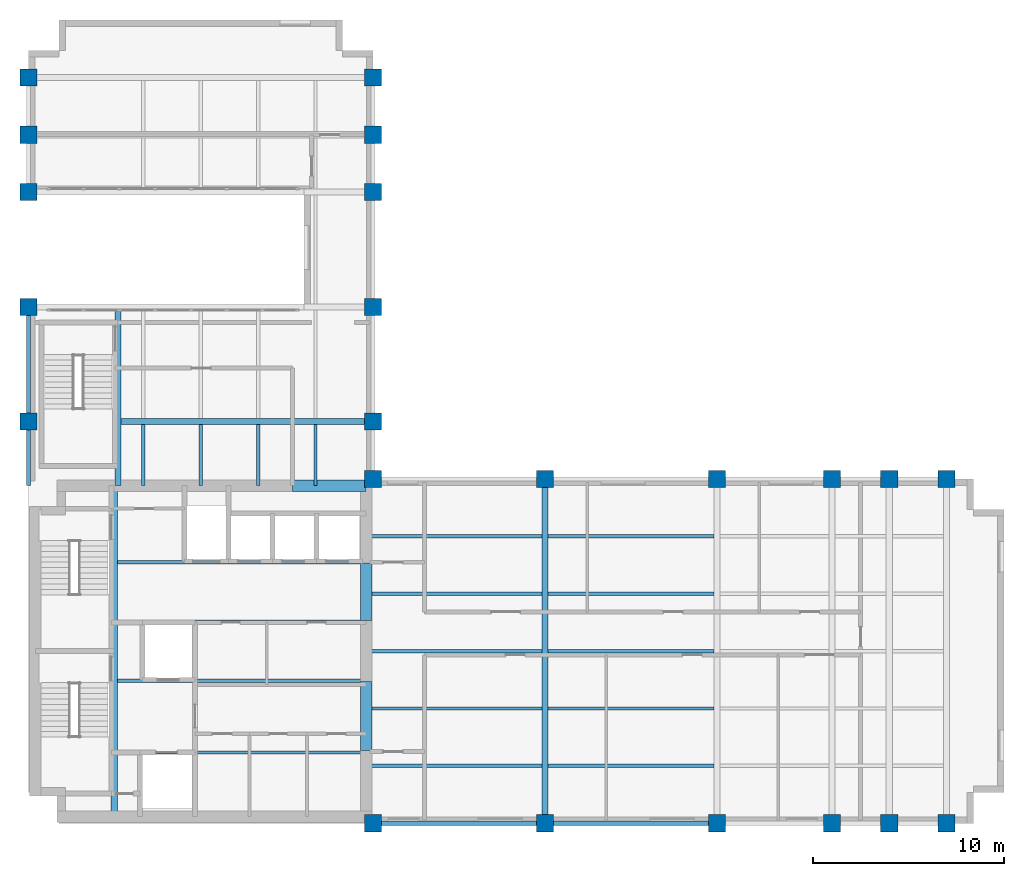
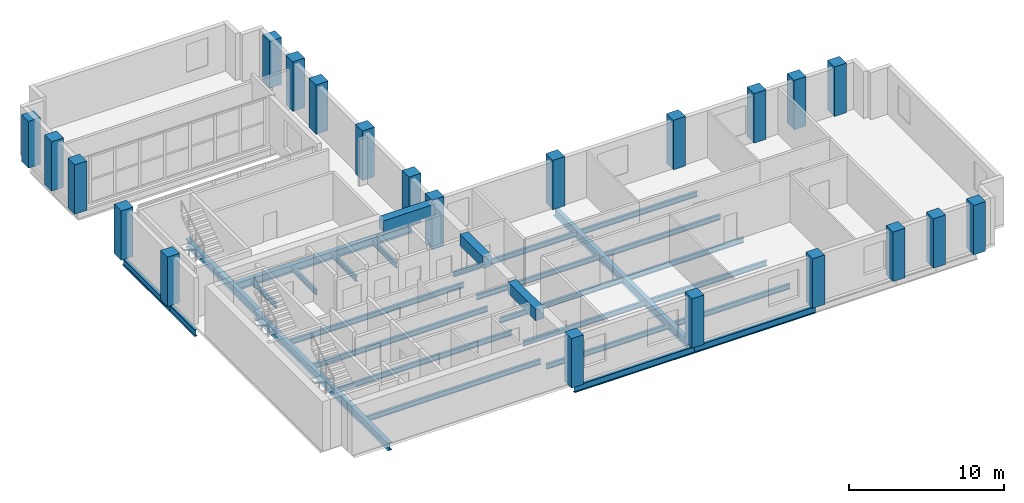
# One storey, part 1 of 9: 29 beams, 22 columns.
"""IFC4 building model written with IfcOpenShell, lengths in metres."""

from ifc_helpers import new_model, si_unit, direction, frame, origin, origin_2d, place, context, subcontext, project, spatial, rectangle, i_section, extrude, material, material_profile, profile_set, type_object, element, save


model = new_model("IFC4")

# Units and contexts
model_context = context("Model", 3, precision=1e-05, world=origin(), true_north=direction((0.0, 1.0)))
body_context = subcontext(model_context, "Body", "Model", "MODEL_VIEW")
ifc_project = project(units=[si_unit("LENGTHUNIT", "METRE"), si_unit("AREAUNIT", "SQUARE_METRE"), si_unit("VOLUMEUNIT", "CUBIC_METRE"), si_unit("PLANEANGLEUNIT", "RADIAN"), si_unit("MASSUNIT", "GRAM", prefix="KILO")], contexts=[model_context])

# Site, building, storey
site_placement = place(None, origin())
site = spatial("IfcSite", under=ifc_project, at=site_placement, CompositionType="ELEMENT")
building_placement = place(site_placement, origin())
building = spatial("IfcBuilding", under=site, at=building_placement, Name="Mawjdan Bourse Tower", CompositionType="ELEMENT")
storey_placement = place(building_placement, frame((0.0, 0.0, 195.60009765625)))
storey = spatial("IfcBuildingStorey", under=building, at=storey_placement, Name="L47", CompositionType="ELEMENT", Elevation=195.60009765625)

# Columns
ifc_material_1 = material(Name="Concrete C70/85", Category="concrete")
ifc_material_profile_1 = material_profile(ifc_material_1, rectangle(XDim=0.89990234375, YDim=0.89990234375, at=origin_2d()), Name="RC900X900")
ifc_profile_set_1 = profile_set([ifc_material_profile_1], Name="Concrete C70/85")
column_type = type_object("IfcColumnType", Name="COL-RC900X900", PredefinedType="COLUMN", material=ifc_profile_set_1)
for number, where, z_axis, x_axis, name in (
    (1, (24.0, 3.0, 0.0), (0.0, 0.0, 1.0), (1.0, 0.0, 0.0), "L47 Structural Column C-X240-Y30"),
    (2, (24.0, 21.0, 0.0), (0.0, 0.0, 1.0), (1.0, 0.0, 0.0), "L47 Structural Column C-X240-Y210"),
    (3, (33.0, 3.0, 0.0), (0.0, 0.0, 1.0), (1.0, 0.0, 0.0), "L47 Structural Column C-X330-Y30"),
    (4, (33.0, 21.0, 0.0), (0.0, 0.0, 1.0), (1.0, 0.0, 0.0), "L47 Structural Column C-X330-Y210"),
    (5, (42.0, 3.0, 0.0), (0.0, 0.0, 1.0), (1.0, 0.0, 0.0), "L47 Structural Column C-X420-Y30"),
    (6, (42.0, 21.0, 0.0), (0.0, 0.0, 1.0), (1.0, 0.0, 0.0), "L47 Structural Column C-X420-Y210"),
    (7, (48.0, 3.0, 0.0), (0.0, 0.0, 1.0), (1.0, 0.0, 0.0), "L47 Structural Column C-X480-Y30"),
    (8, (48.0, 21.0, 0.0), (0.0, 0.0, 1.0), (1.0, 0.0, 0.0), "L47 Structural Column C-X480-Y210"),
    (9, (51.0, 3.0, 0.0), (0.0, 0.0, 1.0), (1.0, 0.0, 0.0), "L47 Structural Column C-X510-Y30"),
    (10, (51.0, 21.0, 0.0), (0.0, 0.0, 1.0), (1.0, 0.0, 0.0), "L47 Structural Column C-X510-Y210"),
    (11, (54.0, 3.0, 0.0), (0.0, 0.0, 1.0), (1.0, 0.0, 0.0), "L47 Structural Column C-X540-Y30"),
    (12, (54.0, 21.0, 0.0), (0.0, 0.0, 1.0), (1.0, 0.0, 0.0), "L47 Structural Column C-X540-Y210"),
    (13, (6.0, 24.0, 0.0), (0.0, 0.0, 1.0), (1.0, 0.0, 0.0), "L47 Structural Column C-X60-Y240"),
    (14, (24.0, 24.0, 0.0), (0.0, 0.0, 1.0), (1.0, 0.0, 0.0), "L47 Structural Column C-X240-Y240"),
    (15, (6.0, 30.0, 0.0), (0.0, 0.0, 1.0), (1.0, 0.0, 0.0), "L47 Structural Column C-X60-Y300"),
    (16, (24.0, 30.0, 0.0), (0.0, 0.0, 1.0), (1.0, 0.0, 0.0), "L47 Structural Column C-X240-Y300"),
    (17, (6.0, 36.0, 0.0), (0.0, 0.0, 1.0), (1.0, 0.0, 0.0), "L47 Structural Column C-X60-Y360"),
    (18, (24.0, 36.0, 0.0), (0.0, 0.0, 1.0), (1.0, 0.0, 0.0), "L47 Structural Column C-X240-Y360"),
    (19, (6.0, 39.0, 0.0), (0.0, 0.0, 1.0), (1.0, 0.0, 0.0), "L47 Structural Column C-X60-Y390"),
    (20, (24.0, 39.0, 0.0), (0.0, 0.0, 1.0), (1.0, 0.0, 0.0), "L47 Structural Column C-X240-Y390"),
):
    element("IfcColumn", number, at=place(storey_placement, frame(where, z_axis=z_axis, x_axis=x_axis)), inside=storey, type_object=column_type, Name=name, PredefinedType="COLUMN", context=body_context, shape_type="SweptSolid", body=[
        extrude(rectangle(XDim=0.89990234375, YDim=0.89990234375, at=origin_2d()), origin(), (0.0, 0.0, 1.0), 3.89990234375),
    ])
for number, where, z_axis, x_axis, name in (
    (21, (6.0, 42.0, 0.0), (0.0, 0.0, 1.0), (1.0, 0.0, 0.0), "L47 Structural Column C-X60-Y420"),
    (22, (24.0, 42.0, 0.0), (0.0, 0.0, 1.0), (1.0, 0.0, 0.0), "L47 Structural Column C-X240-Y420"),
):
    element("IfcColumn", number, at=place(storey_placement, frame(where, z_axis=z_axis, x_axis=x_axis)), inside=storey, type_object=column_type, Name=name, PredefinedType="COLUMN", context=body_context, shape_type="SweptSolid", body=[
        extrude(rectangle(XDim=0.89990234375, YDim=0.89990234375, at=origin_2d()), origin(), (0.0, 0.0, 1.0), 3.68896484375),
    ])

# Beams
ifc_material_2 = material(Name="Structural Steel S355", Category="steel")
ifc_material_profile_2 = material_profile(ifc_material_2, i_section(OverallWidth=0.324951171875, OverallDepth=0.616943359375, WebThickness=0.013916015625, FlangeThickness=0.021484375, FilletRadius=0.017333984375, at=origin_2d()), Name="W24X117")
ifc_profile_set_2 = profile_set([ifc_material_profile_2], Name="Structural Steel S355")
beam_type_1 = type_object("IfcBeamType", Name="GRD-W24X117", PredefinedType="BEAM", material=ifc_profile_set_2)
beam_1_placement = place(storey_placement, frame((10.47998046875, 3.35009765625, -0.508544921875), z_axis=(0.0, 1.0, 0.0), x_axis=(-1.0, 0.0, 0.0)))
element("IfcBeam", 23, at=beam_1_placement, inside=storey, type_object=beam_type_1, Name="L47 Core Stair Trimmer Girder 001", PredefinedType="BEAM", context=body_context, shape_type="SweptSolid", body=[
    extrude(i_section(OverallWidth=0.324951171875, OverallDepth=0.616943359375, WebThickness=0.013916015625, FlangeThickness=0.021484375, FilletRadius=0.017333984375, at=origin_2d()), origin(), (0.0, 0.0, 1.0), 17.2998046875),
])
beam_2_placement = place(storey_placement, frame((33.0, 3.0, -0.508544921875), z_axis=(0.0, 1.0, 0.0), x_axis=(-1.0, 0.0, 0.0)))
element("IfcBeam", 24, at=beam_2_placement, inside=storey, type_object=beam_type_1, Name="L47 East Wing Clear-Span Girder 002", PredefinedType="BEAM", context=body_context, shape_type="SweptSolid", body=[
    extrude(i_section(OverallWidth=0.324951171875, OverallDepth=0.616943359375, WebThickness=0.013916015625, FlangeThickness=0.021484375, FilletRadius=0.017333984375, at=origin_2d()), origin(), (0.0, 0.0, 1.0), 18.0),
])
beam_3_placement = place(storey_placement, frame((10.679931640625, 20.64990234375, -0.508544921875), z_axis=(0.0, 1.0, 0.0), x_axis=(-1.0, 0.0, 0.0)))
element("IfcBeam", 25, at=beam_3_placement, inside=storey, type_object=beam_type_1, Name="L47 North Wing Stair Trimmer Girder 046", PredefinedType="BEAM", context=body_context, shape_type="SweptSolid", body=[
    extrude(i_section(OverallWidth=0.324951171875, OverallDepth=0.616943359375, WebThickness=0.013916015625, FlangeThickness=0.021484375, FilletRadius=0.017333984375, at=origin_2d()), origin(), (0.0, 0.0, 1.0), 9.189697265625),
])
beam_4_placement = place(storey_placement, frame((10.840576171875, 24.0, -0.508544921875), z_axis=(1.0, 0.0, 0.0), x_axis=(0.0, 1.0, 0.0)))
element("IfcBeam", 26, at=beam_4_placement, inside=storey, type_object=beam_type_1, Name="L47 North Wing Clear-Span Girder 047", PredefinedType="BEAM", context=body_context, shape_type="SweptSolid", body=[
    extrude(i_section(OverallWidth=0.324951171875, OverallDepth=0.616943359375, WebThickness=0.013916015625, FlangeThickness=0.021484375, FilletRadius=0.017333984375, at=origin_2d()), origin(), (0.0, 0.0, 1.0), 13.159423828125),
])
ifc_material_profile_3 = material_profile(ifc_material_2, i_section(OverallWidth=0.177978515625, OverallDepth=0.406982421875, WebThickness=0.0078125, FlangeThickness=0.0126953125, FilletRadius=0.01025390625, at=origin_2d()), Name="W16X40")
ifc_profile_set_3 = profile_set([ifc_material_profile_3], Name="Structural Steel S355")
beam_type_2 = type_object("IfcBeamType", Name="JST-W16X40", PredefinedType="JOIST", material=ifc_profile_set_3)
beam_5_placement = place(storey_placement, frame((23.64990234375, 6.0, -0.403564453125), z_axis=(1.0, 0.0, 0.0), x_axis=(0.0, 1.0, 0.0)))
element("IfcBeam", 27, at=beam_5_placement, inside=storey, type_object=beam_type_2, Name="L47 East Wing Composite Joist 017", PredefinedType="JOIST", context=body_context, shape_type="SweptSolid", body=[
    extrude(i_section(OverallWidth=0.177978515625, OverallDepth=0.406982421875, WebThickness=0.0078125, FlangeThickness=0.0126953125, FilletRadius=0.01025390625, at=origin_2d()), origin(), (0.0, 0.0, 1.0), 9.189697265625),
])
beam_6_placement = place(storey_placement, frame((33.160400390625, 6.0, -0.403564453125), z_axis=(1.0, 0.0, 0.0), x_axis=(0.0, 1.0, 0.0)))
element("IfcBeam", 28, at=beam_6_placement, inside=storey, type_object=beam_type_2, Name="L47 East Wing Composite Joist 018", PredefinedType="JOIST", context=body_context, shape_type="SweptSolid", body=[
    extrude(i_section(OverallWidth=0.177978515625, OverallDepth=0.406982421875, WebThickness=0.0078125, FlangeThickness=0.0126953125, FilletRadius=0.01025390625, at=origin_2d()), origin(), (0.0, 0.0, 1.0), 8.67919921875),
])
beam_7_placement = place(storey_placement, frame((23.64990234375, 9.0, -0.403564453125), z_axis=(1.0, 0.0, 0.0), x_axis=(0.0, 1.0, 0.0)))
element("IfcBeam", 29, at=beam_7_placement, inside=storey, type_object=beam_type_2, Name="L47 East Wing Composite Joist 022", PredefinedType="JOIST", context=body_context, shape_type="SweptSolid", body=[
    extrude(i_section(OverallWidth=0.177978515625, OverallDepth=0.406982421875, WebThickness=0.0078125, FlangeThickness=0.0126953125, FilletRadius=0.01025390625, at=origin_2d()), origin(), (0.0, 0.0, 1.0), 9.189697265625),
])
beam_8_placement = place(storey_placement, frame((33.160400390625, 9.0, -0.403564453125), z_axis=(1.0, 0.0, 0.0), x_axis=(0.0, 1.0, 0.0)))
element("IfcBeam", 30, at=beam_8_placement, inside=storey, type_object=beam_type_2, Name="L47 East Wing Composite Joist 023", PredefinedType="JOIST", context=body_context, shape_type="SweptSolid", body=[
    extrude(i_section(OverallWidth=0.177978515625, OverallDepth=0.406982421875, WebThickness=0.0078125, FlangeThickness=0.0126953125, FilletRadius=0.01025390625, at=origin_2d()), origin(), (0.0, 0.0, 1.0), 8.67919921875),
])
beam_9_placement = place(storey_placement, frame((23.64990234375, 12.0, -0.403564453125), z_axis=(1.0, 0.0, 0.0), x_axis=(0.0, 1.0, 0.0)))
element("IfcBeam", 31, at=beam_9_placement, inside=storey, type_object=beam_type_2, Name="L47 East Wing Composite Joist 027", PredefinedType="JOIST", context=body_context, shape_type="SweptSolid", body=[
    extrude(i_section(OverallWidth=0.177978515625, OverallDepth=0.406982421875, WebThickness=0.0078125, FlangeThickness=0.0126953125, FilletRadius=0.01025390625, at=origin_2d()), origin(), (0.0, 0.0, 1.0), 9.189697265625),
])
beam_10_placement = place(storey_placement, frame((33.160400390625, 12.0, -0.403564453125), z_axis=(1.0, 0.0, 0.0), x_axis=(0.0, 1.0, 0.0)))
element("IfcBeam", 32, at=beam_10_placement, inside=storey, type_object=beam_type_2, Name="L47 East Wing Composite Joist 028", PredefinedType="JOIST", context=body_context, shape_type="SweptSolid", body=[
    extrude(i_section(OverallWidth=0.177978515625, OverallDepth=0.406982421875, WebThickness=0.0078125, FlangeThickness=0.0126953125, FilletRadius=0.01025390625, at=origin_2d()), origin(), (0.0, 0.0, 1.0), 8.67919921875),
])
beam_11_placement = place(storey_placement, frame((23.64990234375, 15.0, -0.403564453125), z_axis=(1.0, 0.0, 0.0), x_axis=(0.0, 1.0, 0.0)))
element("IfcBeam", 33, at=beam_11_placement, inside=storey, type_object=beam_type_2, Name="L47 East Wing Composite Joist 032", PredefinedType="JOIST", context=body_context, shape_type="SweptSolid", body=[
    extrude(i_section(OverallWidth=0.177978515625, OverallDepth=0.406982421875, WebThickness=0.0078125, FlangeThickness=0.0126953125, FilletRadius=0.01025390625, at=origin_2d()), origin(), (0.0, 0.0, 1.0), 9.189697265625),
])
beam_12_placement = place(storey_placement, frame((33.160400390625, 15.0, -0.403564453125), z_axis=(1.0, 0.0, 0.0), x_axis=(0.0, 1.0, 0.0)))
element("IfcBeam", 34, at=beam_12_placement, inside=storey, type_object=beam_type_2, Name="L47 East Wing Composite Joist 033", PredefinedType="JOIST", context=body_context, shape_type="SweptSolid", body=[
    extrude(i_section(OverallWidth=0.177978515625, OverallDepth=0.406982421875, WebThickness=0.0078125, FlangeThickness=0.0126953125, FilletRadius=0.01025390625, at=origin_2d()), origin(), (0.0, 0.0, 1.0), 8.67919921875),
])
beam_13_placement = place(storey_placement, frame((23.64990234375, 18.0, -0.403564453125), z_axis=(1.0, 0.0, 0.0), x_axis=(0.0, 1.0, 0.0)))
element("IfcBeam", 35, at=beam_13_placement, inside=storey, type_object=beam_type_2, Name="L47 East Wing Composite Joist 037", PredefinedType="JOIST", context=body_context, shape_type="SweptSolid", body=[
    extrude(i_section(OverallWidth=0.177978515625, OverallDepth=0.406982421875, WebThickness=0.0078125, FlangeThickness=0.0126953125, FilletRadius=0.01025390625, at=origin_2d()), origin(), (0.0, 0.0, 1.0), 9.189697265625),
])
beam_14_placement = place(storey_placement, frame((33.160400390625, 18.0, -0.403564453125), z_axis=(1.0, 0.0, 0.0), x_axis=(0.0, 1.0, 0.0)))
element("IfcBeam", 36, at=beam_14_placement, inside=storey, type_object=beam_type_2, Name="L47 East Wing Composite Joist 038", PredefinedType="JOIST", context=body_context, shape_type="SweptSolid", body=[
    extrude(i_section(OverallWidth=0.177978515625, OverallDepth=0.406982421875, WebThickness=0.0078125, FlangeThickness=0.0126953125, FilletRadius=0.01025390625, at=origin_2d()), origin(), (0.0, 0.0, 1.0), 8.67919921875),
])
for number, where, z_axis, x_axis, name in (
    (37, (10.640380859375, 6.699951171875, -0.403564453125), (1.0, 0.0, 0.0), (0.0, 1.0, 0.0), "L47 Core Floor Joist 042"),
    (38, (10.640380859375, 10.449951171875, -0.403564453125), (1.0, 0.0, 0.0), (0.0, 1.0, 0.0), "L47 Core Floor Joist 043"),
    (39, (10.640380859375, 13.550048828125, -0.403564453125), (1.0, 0.0, 0.0), (0.0, 1.0, 0.0), "L47 Core Floor Joist 044"),
    (40, (10.640380859375, 16.64990234375, -0.403564453125), (1.0, 0.0, 0.0), (0.0, 1.0, 0.0), "L47 Core Floor Joist 045"),
):
    element("IfcBeam", number, at=place(storey_placement, frame(where, z_axis=z_axis, x_axis=x_axis)), inside=storey, type_object=beam_type_2, Name=name, PredefinedType="JOIST", context=body_context, shape_type="SweptSolid", body=[
        extrude(i_section(OverallWidth=0.177978515625, OverallDepth=0.406982421875, WebThickness=0.0078125, FlangeThickness=0.0126953125, FilletRadius=0.01025390625, at=origin_2d()), origin(), (0.0, 0.0, 1.0), 13.009521484375),
    ])
for number, where, z_axis, x_axis, name in (
    (41, (12.0, 20.64990234375, -0.403564453125), (0.0, 1.0, 0.0), (-1.0, 0.0, 0.0), "L47 North Wing Composite Joist 063"),
    (42, (15.0, 20.64990234375, -0.403564453125), (0.0, 1.0, 0.0), (-1.0, 0.0, 0.0), "L47 North Wing Composite Joist 067"),
    (43, (18.0, 20.64990234375, -0.403564453125), (0.0, 1.0, 0.0), (-1.0, 0.0, 0.0), "L47 North Wing Composite Joist 071"),
    (44, (21.0, 20.64990234375, -0.403564453125), (0.0, 1.0, 0.0), (-1.0, 0.0, 0.0), "L47 North Wing Composite Joist 075"),
):
    element("IfcBeam", number, at=place(storey_placement, frame(where, z_axis=z_axis, x_axis=x_axis)), inside=storey, type_object=beam_type_2, Name=name, PredefinedType="JOIST", context=body_context, shape_type="SweptSolid", body=[
        extrude(i_section(OverallWidth=0.177978515625, OverallDepth=0.406982421875, WebThickness=0.0078125, FlangeThickness=0.0126953125, FilletRadius=0.01025390625, at=origin_2d()), origin(), (0.0, 0.0, 1.0), 3.189697265625),
    ])
ifc_material_profile_4 = material_profile(ifc_material_1, rectangle(XDim=0.60009765625, YDim=0.89990234375, at=origin_2d()), Name="RCB600X900")
ifc_profile_set_4 = profile_set([ifc_material_profile_4], Name="Concrete C70/85")
beam_type_3 = type_object("IfcBeamType", Name="LNT-RCB600X900", PredefinedType="LINTEL", material=ifc_profile_set_4)
beam_15_placement = place(storey_placement, frame((23.64990234375, 6.800048828125, 3.25), z_axis=(0.0, 1.0, 0.0), x_axis=(-1.0, 0.0, 0.0)))
element("IfcBeam", 45, at=beam_15_placement, inside=storey, type_object=beam_type_3, Name="L47 Coupled Core Lintel CB-E1", PredefinedType="LINTEL", context=body_context, shape_type="SweptSolid", body=[
    extrude(rectangle(XDim=0.60009765625, YDim=0.89990234375, at=origin_2d()), origin(), (0.0, 0.0, 1.0), 3.599853515625),
])
beam_16_placement = place(storey_placement, frame((23.64990234375, 13.60009765625, 3.25), z_axis=(0.0, 1.0, 0.0), x_axis=(-1.0, 0.0, 0.0)))
element("IfcBeam", 46, at=beam_16_placement, inside=storey, type_object=beam_type_3, Name="L47 Coupled Core Lintel CB-E2", PredefinedType="LINTEL", context=body_context, shape_type="SweptSolid", body=[
    extrude(rectangle(XDim=0.60009765625, YDim=0.89990234375, at=origin_2d()), origin(), (0.0, 0.0, 1.0), 3.0),
])
beam_17_placement = place(storey_placement, frame((19.800048828125, 20.64990234375, 3.25), z_axis=(1.0, 0.0, 0.0), x_axis=(0.0, 1.0, 0.0)))
element("IfcBeam", 47, at=beam_17_placement, inside=storey, type_object=beam_type_3, Name="L47 Coupled Core Lintel CB-N1", PredefinedType="LINTEL", context=body_context, shape_type="SweptSolid", body=[
    extrude(rectangle(XDim=0.60009765625, YDim=0.89990234375, at=origin_2d()), origin(), (0.0, 0.0, 1.0), 3.849853515625),
])
ifc_material_profile_5 = material_profile(ifc_material_2, i_section(OverallWidth=0.2119140625, OverallDepth=0.5439453125, WebThickness=0.01318359375, FlangeThickness=0.021240234375, FilletRadius=0.01708984375, at=origin_2d()), Name="W21X83")
ifc_profile_set_5 = profile_set([ifc_material_profile_5], Name="Structural Steel S355")
beam_type_4 = type_object("IfcBeamType", Name="SPN-W21X83", PredefinedType="SPANDREL", material=ifc_profile_set_5)
for number, where, z_axis, x_axis, name in (
    (48, (24.0, 3.0, -0.47216796875), (1.0, 0.0, 0.0), (0.0, 1.0, 0.0), "L47 Perimeter Masonry-Shelf Spandrel 007"),
    (49, (33.0, 3.0, -0.47216796875), (1.0, 0.0, 0.0), (0.0, 1.0, 0.0), "L47 Perimeter Masonry-Shelf Spandrel 008"),
):
    element("IfcBeam", number, at=place(storey_placement, frame(where, z_axis=z_axis, x_axis=x_axis)), inside=storey, type_object=beam_type_4, Name=name, PredefinedType="SPANDREL", context=body_context, shape_type="SweptSolid", body=[
        extrude(i_section(OverallWidth=0.2119140625, OverallDepth=0.5439453125, WebThickness=0.01318359375, FlangeThickness=0.021240234375, FilletRadius=0.01708984375, at=origin_2d()), origin(), (0.0, 0.0, 1.0), 9.0),
    ])
beam_18_placement = place(storey_placement, frame((6.0, 20.64990234375, -0.47216796875), z_axis=(0.0, 1.0, 0.0), x_axis=(-1.0, 0.0, 0.0)))
element("IfcBeam", 50, at=beam_18_placement, inside=storey, type_object=beam_type_4, Name="L47 North Wing Spandrel 054", PredefinedType="SPANDREL", context=body_context, shape_type="SweptSolid", body=[
    extrude(i_section(OverallWidth=0.2119140625, OverallDepth=0.5439453125, WebThickness=0.01318359375, FlangeThickness=0.021240234375, FilletRadius=0.01708984375, at=origin_2d()), origin(), (0.0, 0.0, 1.0), 3.35009765625),
])
beam_19_placement = place(storey_placement, frame((6.0, 24.0, -0.47216796875), z_axis=(0.0, 1.0, 0.0), x_axis=(-1.0, 0.0, 0.0)))
element("IfcBeam", 51, at=beam_19_placement, inside=storey, type_object=beam_type_4, Name="L47 North Wing Spandrel 055", PredefinedType="SPANDREL", context=body_context, shape_type="SweptSolid", body=[
    extrude(i_section(OverallWidth=0.2119140625, OverallDepth=0.5439453125, WebThickness=0.01318359375, FlangeThickness=0.021240234375, FilletRadius=0.01708984375, at=origin_2d()), origin(), (0.0, 0.0, 1.0), 6.0),
])

save(model, "model.ifc")
